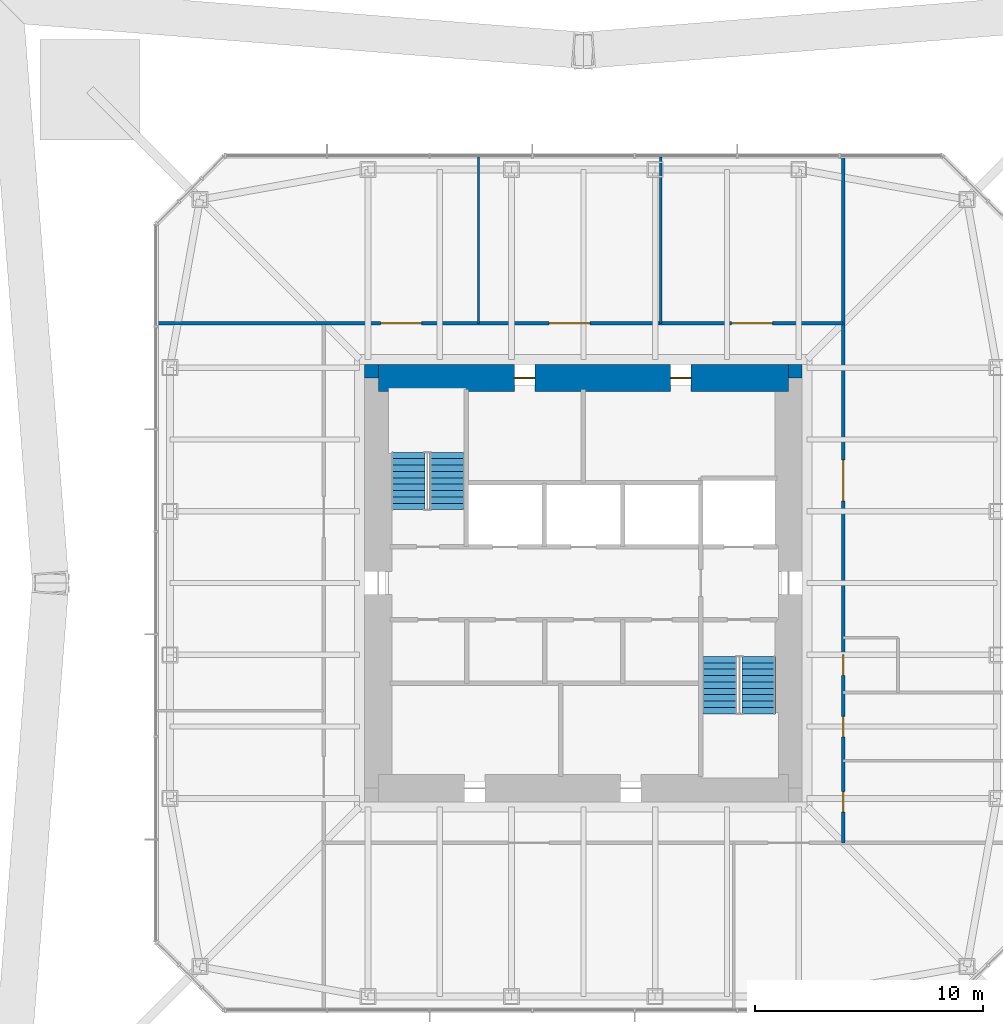
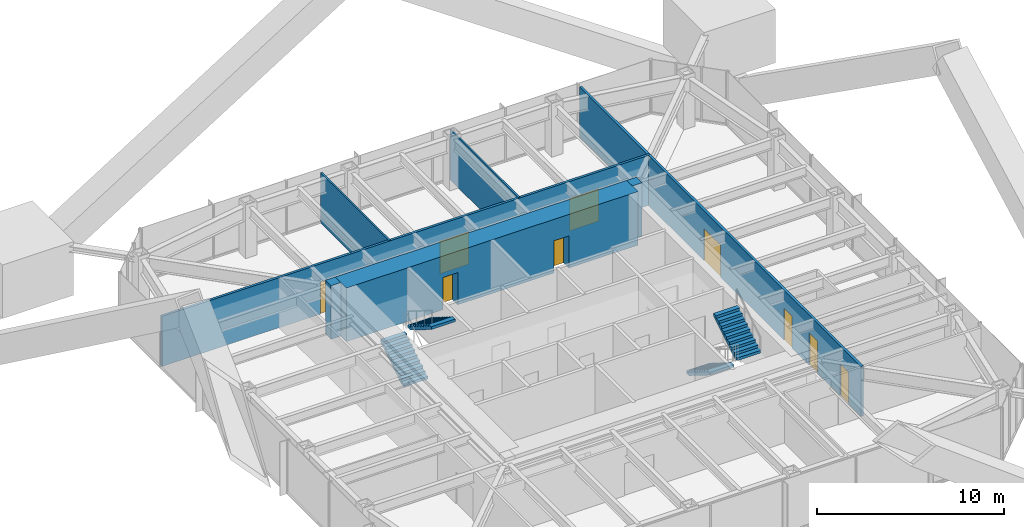
# One storey, part 9 of 11: 9 doors, 7 walls, 4 stair flights, 9 openings, 2 elements without a shape of their own.
"""IFC4 building model written with IfcOpenShell, lengths in metres."""

from ifc_helpers import new_model, si_unit, direction, frame, frame_2d, origin, place, context, subcontext, project, spatial, polyline, rectangle, outline, extrude, material, layer, layer_set, constituent, constituent_set, type_object, element, fill, aggregate, save


model = new_model("IFC4")

# Units and contexts
model_context = context("Model", 3, precision=1e-05, world=origin(), true_north=direction((0.0, 1.0)))
body_context = subcontext(model_context, "Body", "Model", "MODEL_VIEW")
ifc_project = project(units=[si_unit("LENGTHUNIT", "METRE"), si_unit("AREAUNIT", "SQUARE_METRE"), si_unit("VOLUMEUNIT", "CUBIC_METRE"), si_unit("PLANEANGLEUNIT", "RADIAN"), si_unit("MASSUNIT", "GRAM", prefix="KILO")], contexts=[model_context])

# Site, building, storey
site_placement = place(None, origin())
site = spatial("IfcSite", under=ifc_project, at=site_placement, CompositionType="ELEMENT")
building_placement = place(site_placement, origin())
building = spatial("IfcBuilding", under=site, at=building_placement, Name="Iwan Alto Co-Living Towers", CompositionType="ELEMENT")
storey_placement = place(building_placement, frame((0.0, 0.0, 149.5)))
storey = spatial("IfcBuildingStorey", under=building, at=storey_placement, Name="L40", CompositionType="ELEMENT", Elevation=149.5)

# Wall, openings, doors
ifc_material_1 = material(Name="Gypsum board")
ifc_layer_1 = layer(ifc_material_1, 0.02490234375, Name="Board", Category="Finish")
ifc_material_2 = material(Name="Steel ASTM A1003 ST33H cold-formed studs", Category="steel")
ifc_layer_2 = layer(ifc_material_2, 0.10009765625, Name="Studs", Category="Framing")
ifc_layer_3 = layer(ifc_material_1, 0.02490234375, Name="Board", Category="Finish")
ifc_layer_set_1 = layer_set([ifc_layer_1, ifc_layer_2, ifc_layer_3], Name="CORRIDOR WALL 150")
wall_type_1 = type_object("IfcWallType", Name="CORRIDOR WALL 150", PredefinedType="PARTITIONING", material=ifc_layer_set_1)
wall_1_placement = place(storey_placement, frame((-18.68994140625, 11.39990234375, 0.0), z_axis=(0.0, 0.0, 1.0), x_axis=(1.0, 0.0, 0.0)))
wall_1 = element("IfcWall", 1, at=wall_1_placement, inside=storey, type_object=wall_type_1, Name="Partition L40", PredefinedType="PARTITIONING", context=body_context, shape_type="SweptSolid", body=[
    extrude(rectangle(XDim=30.08984375, YDim=0.14990234375, at=frame_2d((15.044921875, 0.0))), origin(), (0.0, 0.0, 1.0), 3.27001953125),
])
opening_1_placement = place(wall_1_placement, frame((25.18994140625, 0.0, 0.0)))
opening_1 = element("IfcOpeningElement", 2, at=opening_1_placement, cuts=wall_1, Name="Opening D9", PredefinedType="OPENING", context=body_context, shape_type="SweptSolid", body=[
    extrude(rectangle(XDim=1.800048828125, YDim=2.10009765625, at=frame_2d((0.89990234375, 1.050048828125))), frame((0.0, 0.0849609375, 0.0), z_axis=(0.0, -1.0, 0.0), x_axis=(1.0, 0.0, 0.0)), (0.0, 0.0, 1.0), 0.169921875),
])
opening_2_placement = place(wall_1_placement, frame((17.18994140625, 0.0, 0.0)))
opening_2 = element("IfcOpeningElement", 3, at=opening_2_placement, cuts=wall_1, Name="Opening D9", PredefinedType="OPENING", context=body_context, shape_type="SweptSolid", body=[
    extrude(rectangle(XDim=1.800048828125, YDim=2.10009765625, at=frame_2d((0.89990234375, 1.050048828125))), frame((0.0, 0.0849609375, 0.0), z_axis=(0.0, -1.0, 0.0), x_axis=(1.0, 0.0, 0.0)), (0.0, 0.0, 1.0), 0.169921875),
])
opening_3_placement = place(wall_1_placement, frame((9.7900390625, 0.0, 0.0)))
opening_3 = element("IfcOpeningElement", 4, at=opening_3_placement, cuts=wall_1, Name="Opening D9", PredefinedType="OPENING", context=body_context, shape_type="SweptSolid", body=[
    extrude(rectangle(XDim=1.800048828125, YDim=2.10009765625, at=frame_2d((0.89990234375, 1.050048828125))), frame((0.0, 0.0849609375, 0.0), z_axis=(0.0, -1.0, 0.0), x_axis=(1.0, 0.0, 0.0)), (0.0, 0.0, 1.0), 0.169921875),
])
ifc_material_3 = material(Name="Steel frame with timber leaf", Category="steel")
door_type_1 = type_object("IfcDoorType", Name="LOUNGE DOOR FD30S 1800X2100", OperationType="DOUBLE_DOOR_SINGLE_SWING", PredefinedType="DOOR", material=ifc_material_3)
door_1_placement = place(opening_1_placement, origin())
door_1 = element("IfcDoor", 5, at=door_1_placement, inside=storey, type_object=door_type_1, Name="Meeting room door L40", OperationType="DOUBLE_DOOR_SINGLE_SWING", OverallHeight=2.10009765625, OverallWidth=1.800048828125, PredefinedType="DOOR", context=body_context, shape_type="SweptSolid", body=[
    extrude(rectangle(XDim=1.800048828125, YDim=2.10009765625, at=frame_2d((0.89990234375, 1.050048828125))), frame((0.0, 0.02490234375, 0.0), z_axis=(0.0, -1.0, 0.0), x_axis=(1.0, 0.0, 0.0)), (0.0, 0.0, 1.0), 0.050048828125),
])
fill(opening_1, door_1)
door_2_placement = place(opening_2_placement, origin())
door_2 = element("IfcDoor", 6, at=door_2_placement, inside=storey, type_object=door_type_1, Name="Meeting room door L40", OperationType="DOUBLE_DOOR_SINGLE_SWING", OverallHeight=2.10009765625, OverallWidth=1.800048828125, PredefinedType="DOOR", context=body_context, shape_type="SweptSolid", body=[
    extrude(rectangle(XDim=1.800048828125, YDim=2.10009765625, at=frame_2d((0.89990234375, 1.050048828125))), frame((0.0, 0.02490234375, 0.0), z_axis=(0.0, -1.0, 0.0), x_axis=(1.0, 0.0, 0.0)), (0.0, 0.0, 1.0), 0.050048828125),
])
fill(opening_2, door_2)
door_3_placement = place(opening_3_placement, origin())
door_3 = element("IfcDoor", 7, at=door_3_placement, inside=storey, type_object=door_type_1, Name="Seminar room door L40", OperationType="DOUBLE_DOOR_SINGLE_SWING", OverallHeight=2.10009765625, OverallWidth=1.800048828125, PredefinedType="DOOR", context=body_context, shape_type="SweptSolid", body=[
    extrude(rectangle(XDim=1.800048828125, YDim=2.10009765625, at=frame_2d((0.89990234375, 1.050048828125))), frame((0.0, 0.02490234375, 0.0), z_axis=(0.0, -1.0, 0.0), x_axis=(1.0, 0.0, 0.0)), (0.0, 0.0, 1.0), 0.050048828125),
])
fill(opening_3, door_3)

wall_2_placement = place(storey_placement, frame((11.39990234375, -11.39990234375, 0.0), z_axis=(0.0, 0.0, 1.0), x_axis=(0.0, 1.0, 0.0)))
wall_2 = element("IfcWall", 8, at=wall_2_placement, inside=storey, type_object=wall_type_1, Name="Partition L40", PredefinedType="PARTITIONING", context=body_context, shape_type="SweptSolid", body=[
    extrude(rectangle(XDim=30.08984375, YDim=0.14990234375, at=frame_2d((15.044921875, 0.0))), origin(), (0.0, 0.0, 1.0), 3.27001953125),
])
opening_4_placement = place(wall_2_placement, frame((1.35009765625, 0.0, 0.0)))
opening_4 = element("IfcOpeningElement", 9, at=opening_4_placement, cuts=wall_2, Name="Opening D4", PredefinedType="OPENING", context=body_context, shape_type="SweptSolid", body=[
    extrude(rectangle(XDim=0.89990234375, YDim=2.10009765625, at=frame_2d((0.449951171875, 1.050048828125))), frame((0.0, 0.0849609375, 0.0), z_axis=(0.0, -1.0, 0.0), x_axis=(1.0, 0.0, 0.0)), (0.0, 0.0, 1.0), 0.169921875),
])
opening_5_placement = place(wall_2_placement, frame((4.64990234375, 0.0, 0.0)))
opening_5 = element("IfcOpeningElement", 10, at=opening_5_placement, cuts=wall_2, Name="Opening D4", PredefinedType="OPENING", context=body_context, shape_type="SweptSolid", body=[
    extrude(rectangle(XDim=0.89990234375, YDim=2.10009765625, at=frame_2d((0.449951171875, 1.050048828125))), frame((0.0, 0.0849609375, 0.0), z_axis=(0.0, -1.0, 0.0), x_axis=(1.0, 0.0, 0.0)), (0.0, 0.0, 1.0), 0.169921875),
])
opening_6_placement = place(wall_2_placement, frame((7.35009765625, 0.0, 0.0)))
opening_6 = element("IfcOpeningElement", 11, at=opening_6_placement, cuts=wall_2, Name="Opening D4", PredefinedType="OPENING", context=body_context, shape_type="SweptSolid", body=[
    extrude(rectangle(XDim=0.89990234375, YDim=2.10009765625, at=frame_2d((0.449951171875, 1.050048828125))), frame((0.0, 0.0849609375, 0.0), z_axis=(0.0, -1.0, 0.0), x_axis=(1.0, 0.0, 0.0)), (0.0, 0.0, 1.0), 0.169921875),
])
opening_7_placement = place(wall_2_placement, frame((15.0, 0.0, 0.0)))
opening_7 = element("IfcOpeningElement", 12, at=opening_7_placement, cuts=wall_2, Name="Opening D9", PredefinedType="OPENING", context=body_context, shape_type="SweptSolid", body=[
    extrude(rectangle(XDim=1.800048828125, YDim=2.10009765625, at=frame_2d((0.89990234375, 1.050048828125))), frame((0.0, 0.0849609375, 0.0), z_axis=(0.0, -1.0, 0.0), x_axis=(1.0, 0.0, 0.0)), (0.0, 0.0, 1.0), 0.169921875),
])
door_4_placement = place(opening_7_placement, frame((1.800048828125, 0.0, 0.0), z_axis=(0.0, 0.0, 1.0), x_axis=(-1.0, 0.0, 0.0)))
door_4 = element("IfcDoor", 13, at=door_4_placement, inside=storey, type_object=door_type_1, Name="Co-working room door L40", OperationType="DOUBLE_DOOR_SINGLE_SWING", OverallHeight=2.10009765625, OverallWidth=1.800048828125, PredefinedType="DOOR", context=body_context, shape_type="SweptSolid", body=[
    extrude(rectangle(XDim=1.800048828125, YDim=2.10009765625, at=frame_2d((0.89990234375, 1.050048828125))), frame((0.0, 0.02490234375, 0.0), z_axis=(0.0, -1.0, 0.0), x_axis=(1.0, 0.0, 0.0)), (0.0, 0.0, 1.0), 0.050048828125),
])
fill(opening_7, door_4)
ifc_material_4 = material(Name="Timber leaf in steel frame", Category="steel")
door_type_2 = type_object("IfcDoorType", Name="WC DOOR 900X2100", OperationType="SINGLE_SWING_LEFT", PredefinedType="DOOR", material=ifc_material_4)
door_5_placement = place(opening_4_placement, frame((0.89990234375, 0.0, 0.0), z_axis=(0.0, 0.0, 1.0), x_axis=(-1.0, 0.0, 0.0)))
door_5 = element("IfcDoor", 14, at=door_5_placement, inside=storey, type_object=door_type_2, Name="Women's toilets door L40", OperationType="SINGLE_SWING_RIGHT", OverallHeight=2.10009765625, OverallWidth=0.89990234375, PredefinedType="DOOR", context=body_context, shape_type="SweptSolid", body=[
    extrude(rectangle(XDim=0.89990234375, YDim=2.10009765625, at=frame_2d((0.449951171875, 1.050048828125))), frame((0.0, 0.02490234375, 0.0), z_axis=(0.0, -1.0, 0.0), x_axis=(1.0, 0.0, 0.0)), (0.0, 0.0, 1.0), 0.050048828125),
])
fill(opening_4, door_5)
door_6_placement = place(opening_5_placement, frame((0.89990234375, 0.0, 0.0), z_axis=(0.0, 0.0, 1.0), x_axis=(-1.0, 0.0, 0.0)))
door_6 = element("IfcDoor", 15, at=door_6_placement, inside=storey, type_object=door_type_2, Name="Men's toilets door L40", OperationType="SINGLE_SWING_RIGHT", OverallHeight=2.10009765625, OverallWidth=0.89990234375, PredefinedType="DOOR", context=body_context, shape_type="SweptSolid", body=[
    extrude(rectangle(XDim=0.89990234375, YDim=2.10009765625, at=frame_2d((0.449951171875, 1.050048828125))), frame((0.0, 0.02490234375, 0.0), z_axis=(0.0, -1.0, 0.0), x_axis=(1.0, 0.0, 0.0)), (0.0, 0.0, 1.0), 0.050048828125),
])
fill(opening_5, door_6)
door_7_placement = place(opening_6_placement, frame((0.89990234375, 0.0, 0.0), z_axis=(0.0, 0.0, 1.0), x_axis=(-1.0, 0.0, 0.0)))
door_7 = element("IfcDoor", 16, at=door_7_placement, inside=storey, type_object=door_type_2, Name="Accessible WC door L40", OperationType="SINGLE_SWING_RIGHT", OverallHeight=2.10009765625, OverallWidth=0.89990234375, PredefinedType="DOOR", context=body_context, shape_type="SweptSolid", body=[
    extrude(rectangle(XDim=0.89990234375, YDim=2.10009765625, at=frame_2d((0.449951171875, 1.050048828125))), frame((0.0, 0.02490234375, 0.0), z_axis=(0.0, -1.0, 0.0), x_axis=(1.0, 0.0, 0.0)), (0.0, 0.0, 1.0), 0.050048828125),
])
fill(opening_6, door_7)

# Walls
ifc_layer_4 = layer(ifc_material_1, 0.012451171875, Name="Board", Category="Finish")
ifc_layer_5 = layer(ifc_material_2, 0.074951171875, Name="Studs", Category="Framing")
ifc_layer_6 = layer(ifc_material_1, 0.012451171875, Name="Board", Category="Finish")
ifc_layer_set_2 = layer_set([ifc_layer_4, ifc_layer_5, ifc_layer_6], Name="PARTITION 100")
wall_type_2 = type_object("IfcWallType", Name="PARTITION 100", PredefinedType="PARTITIONING", material=ifc_layer_set_2)
for number, where, z_axis, x_axis, name in (
    (17, (3.39990234375, 11.39990234375, 0.0), (0.0, 0.0, 1.0), (0.0, 1.0, 0.0), "Partition L40"),
    (18, (-4.60009765625, 11.39990234375, 0.0), (0.0, 0.0, 1.0), (0.0, 1.0, 0.0), "Partition L40"),
):
    element("IfcWall", number, at=place(storey_placement, frame(where, z_axis=z_axis, x_axis=x_axis)), inside=storey, type_object=wall_type_2, Name=name, PredefinedType="PARTITIONING", context=body_context, shape_type="SweptSolid", body=[
        extrude(rectangle(XDim=7.2900390625, YDim=0.10009765625, at=frame_2d((3.64501953125, 0.0))), origin(), (0.0, 0.0, 1.0), 3.27001953125),
    ])
ifc_material_5 = material(Name="Concrete f'c 70 MPa", Category="concrete")
ifc_layer_7 = layer(ifc_material_5, 0.60009765625)
ifc_layer_set_3 = layer_set([ifc_layer_7], Name="T1 CORE CORNER FILL 600")
wall_type_3 = type_object("IfcWallType", Name="T1 CORE CORNER FILL 600", PredefinedType="SOLIDWALL", material=ifc_layer_set_3)
for number, where, z_axis, x_axis, name in (
    (19, (9.0, 9.300048828125, 0.0), (0.0, 0.0, 1.0), (1.0, 0.0, 0.0), "T1 core corner NE L40"),
    (20, (-9.60009765625, 9.300048828125, 0.0), (0.0, 0.0, 1.0), (1.0, 0.0, 0.0), "T1 core corner NW L40"),
):
    element("IfcWall", number, at=place(storey_placement, frame(where, z_axis=z_axis, x_axis=x_axis)), inside=storey, type_object=wall_type_3, Name=name, PredefinedType="SOLIDWALL", context=body_context, shape_type="SweptSolid", body=[
        extrude(rectangle(XDim=0.60009765625, YDim=0.60009765625, at=frame_2d((0.300048828125, 0.0))), origin(), (0.0, 0.0, 1.0), 3.5),
    ])

# Wall, openings, doors
ifc_material_6 = material(Name="Concrete f'c 70 MPa", Category="concrete")
ifc_layer_8 = layer(ifc_material_6, 1.199951171875)
ifc_layer_set_4 = layer_set([ifc_layer_8], Name="T1 CORE WALL 1200")
wall_type_4 = type_object("IfcWallType", Name="T1 CORE WALL 1200", PredefinedType="SHEAR", material=ifc_layer_set_4)
wall_3_placement = place(storey_placement, frame((9.0, 9.0, 0.0), z_axis=(0.0, 0.0, 1.0), x_axis=(-1.0, 0.0, 0.0)))
wall_3 = element("IfcWall", 21, at=wall_3_placement, inside=storey, type_object=wall_type_4, Name="T1 core wall N L40", PredefinedType="SHEAR", context=body_context, shape_type="SweptSolid", body=[
    extrude(rectangle(XDim=18.0, YDim=1.199951171875, at=frame_2d((9.0, 0.0))), origin(), (0.0, 0.0, 1.0), 3.5),
])
opening_8_placement = place(wall_3_placement, frame((11.125, 0.0, 0.0)))
opening_8 = element("IfcOpeningElement", 22, at=opening_8_placement, cuts=wall_3, Name="Opening D8", PredefinedType="OPENING", context=body_context, shape_type="SweptSolid", body=[
    extrude(rectangle(XDim=0.89990234375, YDim=2.10009765625, at=frame_2d((0.449951171875, 1.050048828125))), frame((0.0, 0.60986328125, 0.0), z_axis=(0.0, -1.0, 0.0), x_axis=(1.0, 0.0, 0.0)), (0.0, 0.0, 1.0), 1.219970703125),
])
opening_9_placement = place(wall_3_placement, frame((4.27490234375, 0.0, 0.0)))
opening_9 = element("IfcOpeningElement", 23, at=opening_9_placement, cuts=wall_3, Name="Opening D8", PredefinedType="OPENING", context=body_context, shape_type="SweptSolid", body=[
    extrude(rectangle(XDim=0.89990234375, YDim=2.10009765625, at=frame_2d((0.449951171875, 1.050048828125))), frame((0.0, 0.60986328125, 0.0), z_axis=(0.0, -1.0, 0.0), x_axis=(1.0, 0.0, 0.0)), (0.0, 0.0, 1.0), 1.219970703125),
])
ifc_material_7 = material(Name="Steel frame with timber leaf", Category="steel")
door_type_3 = type_object("IfcDoorType", Name="RISER DOOR FD120 900X2100", OperationType="SINGLE_SWING_LEFT", PredefinedType="DOOR", material=ifc_material_7)
door_8_placement = place(opening_8_placement, origin())
door_8 = element("IfcDoor", 24, at=door_8_placement, inside=storey, type_object=door_type_3, Name="Electrical riser core door L40", OperationType="SINGLE_SWING_RIGHT", OverallHeight=2.10009765625, OverallWidth=0.89990234375, PredefinedType="DOOR", context=body_context, shape_type="SweptSolid", body=[
    extrude(rectangle(XDim=0.89990234375, YDim=2.10009765625, at=frame_2d((0.449951171875, 1.050048828125))), frame((0.0, 0.02490234375, 0.0), z_axis=(0.0, -1.0, 0.0), x_axis=(1.0, 0.0, 0.0)), (0.0, 0.0, 1.0), 0.050048828125),
])
fill(opening_8, door_8)
door_9_placement = place(opening_9_placement, origin())
door_9 = element("IfcDoor", 25, at=door_9_placement, inside=storey, type_object=door_type_3, Name="Water and drainage riser core door L40", OperationType="SINGLE_SWING_RIGHT", OverallHeight=2.10009765625, OverallWidth=0.89990234375, PredefinedType="DOOR", context=body_context, shape_type="SweptSolid", body=[
    extrude(rectangle(XDim=0.89990234375, YDim=2.10009765625, at=frame_2d((0.449951171875, 1.050048828125))), frame((0.0, 0.02490234375, 0.0), z_axis=(0.0, -1.0, 0.0), x_axis=(1.0, 0.0, 0.0)), (0.0, 0.0, 1.0), 0.050048828125),
])
fill(opening_9, door_9)

# Stair, stair flights
ifc_material_8 = material(Name="Steel ASTM A36", Category="steel")
ifc_constituent_1 = constituent(ifc_material_8, Name="Stringers", Category="LoadBearing")
ifc_material_9 = material(Name="Concrete f'c 30 MPa", Category="concrete")
ifc_constituent_2 = constituent(ifc_material_9, Name="Tread fill", Category="Finish")
ifc_constituent_set_1 = constituent_set(constituents=[ifc_constituent_1, ifc_constituent_2], Name="STAIR 3500 TWO-FLIGHT T1 CORE")
stair_type = type_object("IfcStairType", Name="STAIR 3500 TWO-FLIGHT T1 CORE", PredefinedType="HALF_TURN_STAIR", material=ifc_constituent_set_1)
stair_1_placement = place(storey_placement, origin())
stair_1 = element("IfcStair", 26, at=stair_1_placement, inside=storey, type_object=stair_type, Name="Stair T1-S1 L40 to L41", PredefinedType="HALF_TURN_STAIR")
ifc_constituent_3 = constituent(ifc_material_8, Name="Stringers", Category="LoadBearing")
ifc_constituent_4 = constituent(ifc_material_9, Name="Tread fill", Category="Finish")
ifc_constituent_set_2 = constituent_set(constituents=[ifc_constituent_3, ifc_constituent_4], Name="STAIR FLIGHT 10 RISERS 280 GOING")
stair_flight_type = type_object("IfcStairFlightType", Name="STAIR FLIGHT 10 RISERS 280 GOING", PredefinedType="STRAIGHT", material=ifc_constituent_set_2)
stair_flight_1_placement = place(storey_placement, frame((-7.68994140625, 3.219970703125, 0.0), z_axis=(0.0, 0.0, 1.0), x_axis=(0.0, 1.0, 0.0)))
stair_flight_1 = element("IfcStairFlight", 27, at=stair_flight_1_placement, type_object=stair_flight_type, Name="T1-S1 flight 1", NumberOfRisers=10, NumberOfTreads=9, PredefinedType="STRAIGHT", RiserHeight=0.175, TreadLength=0.28, context=body_context, shape_type="SweptSolid", body=[
    extrude(outline(polyline([(0.0, 0.0), (0.0, 0.175048828125), (0.280029296875, 0.175048828125), (0.280029296875, 0.35009765625), (0.56005859375, 0.35009765625), (0.56005859375, 0.52490234375), (0.840087890625, 0.52490234375), (0.840087890625, 0.699951171875), (1.1201171875, 0.699951171875), (1.1201171875, 0.875), (1.39990234375, 0.875), (1.39990234375, 1.050048828125), (1.679931640625, 1.050048828125), (1.679931640625, 1.22509765625), (1.9599609375, 1.22509765625), (1.9599609375, 1.39990234375), (2.239990234375, 1.39990234375), (2.239990234375, 1.574951171875), (2.52001953125, 1.574951171875), (2.52001953125, 1.75), (2.52001953125, 1.398193359375), (0.28271484375, 0.0), (0.0, 0.0)])), frame((0.0, 0.739990234375, 0.0), z_axis=(0.0, -1.0, 0.0), x_axis=(1.0, 0.0, 0.0)), (0.0, 0.0, 1.0), 1.47998046875),
])
stair_flight_2_placement = place(storey_placement, frame((-6.010009765625, 5.739990234375, 1.75), z_axis=(0.0, 0.0, 1.0), x_axis=(0.0, -1.0, 0.0)))
stair_flight_2 = element("IfcStairFlight", 28, at=stair_flight_2_placement, type_object=stair_flight_type, Name="T1-S1 flight 2", NumberOfRisers=10, NumberOfTreads=9, PredefinedType="STRAIGHT", RiserHeight=0.175, TreadLength=0.28, context=body_context, shape_type="SweptSolid", body=[
    extrude(outline(polyline([(0.0, 0.0), (0.0, 0.175048828125), (0.280029296875, 0.175048828125), (0.280029296875, 0.35009765625), (0.56005859375, 0.35009765625), (0.56005859375, 0.52490234375), (0.840087890625, 0.52490234375), (0.840087890625, 0.699951171875), (1.1201171875, 0.699951171875), (1.1201171875, 0.875), (1.39990234375, 0.875), (1.39990234375, 1.050048828125), (1.679931640625, 1.050048828125), (1.679931640625, 1.22509765625), (1.9599609375, 1.22509765625), (1.9599609375, 1.39990234375), (2.239990234375, 1.39990234375), (2.239990234375, 1.574951171875), (2.52001953125, 1.574951171875), (2.52001953125, 1.75), (2.52001953125, 1.398193359375), (0.28271484375, 0.0), (0.0, 0.0)])), frame((0.0, 0.739990234375, 0.0), z_axis=(0.0, -1.0, 0.0), x_axis=(1.0, 0.0, 0.0)), (0.0, 0.0, 1.0), 1.47998046875),
])
aggregate(stair_1, [stair_flight_1, stair_flight_2])

stair_2_placement = place(storey_placement, origin())
stair_2 = element("IfcStair", 29, at=stair_2_placement, inside=storey, type_object=stair_type, Name="Stair T1-S2 L40 to L41", PredefinedType="HALF_TURN_STAIR")
stair_flight_3_placement = place(storey_placement, frame((6.010009765625, -3.219970703125, 0.0), z_axis=(0.0, 0.0, 1.0), x_axis=(0.0, -1.0, 0.0)))
stair_flight_3 = element("IfcStairFlight", 30, at=stair_flight_3_placement, type_object=stair_flight_type, Name="T1-S2 flight 1", NumberOfRisers=10, NumberOfTreads=9, PredefinedType="STRAIGHT", RiserHeight=0.175, TreadLength=0.28, context=body_context, shape_type="SweptSolid", body=[
    extrude(outline(polyline([(0.0, 0.0), (0.0, 0.175048828125), (0.280029296875, 0.175048828125), (0.280029296875, 0.35009765625), (0.56005859375, 0.35009765625), (0.56005859375, 0.52490234375), (0.840087890625, 0.52490234375), (0.840087890625, 0.699951171875), (1.1201171875, 0.699951171875), (1.1201171875, 0.875), (1.39990234375, 0.875), (1.39990234375, 1.050048828125), (1.679931640625, 1.050048828125), (1.679931640625, 1.22509765625), (1.9599609375, 1.22509765625), (1.9599609375, 1.39990234375), (2.239990234375, 1.39990234375), (2.239990234375, 1.574951171875), (2.52001953125, 1.574951171875), (2.52001953125, 1.75), (2.52001953125, 1.398193359375), (0.28271484375, 0.0), (0.0, 0.0)])), frame((0.0, 0.739990234375, 0.0), z_axis=(0.0, -1.0, 0.0), x_axis=(1.0, 0.0, 0.0)), (0.0, 0.0, 1.0), 1.47998046875),
])
stair_flight_4_placement = place(storey_placement, frame((7.68994140625, -5.739990234375, 1.75), z_axis=(0.0, 0.0, 1.0), x_axis=(0.0, 1.0, 0.0)))
stair_flight_4 = element("IfcStairFlight", 31, at=stair_flight_4_placement, type_object=stair_flight_type, Name="T1-S2 flight 2", NumberOfRisers=10, NumberOfTreads=9, PredefinedType="STRAIGHT", RiserHeight=0.175, TreadLength=0.28, context=body_context, shape_type="SweptSolid", body=[
    extrude(outline(polyline([(0.0, 0.0), (0.0, 0.175048828125), (0.280029296875, 0.175048828125), (0.280029296875, 0.35009765625), (0.56005859375, 0.35009765625), (0.56005859375, 0.52490234375), (0.840087890625, 0.52490234375), (0.840087890625, 0.699951171875), (1.1201171875, 0.699951171875), (1.1201171875, 0.875), (1.39990234375, 0.875), (1.39990234375, 1.050048828125), (1.679931640625, 1.050048828125), (1.679931640625, 1.22509765625), (1.9599609375, 1.22509765625), (1.9599609375, 1.39990234375), (2.239990234375, 1.39990234375), (2.239990234375, 1.574951171875), (2.52001953125, 1.574951171875), (2.52001953125, 1.75), (2.52001953125, 1.398193359375), (0.28271484375, 0.0), (0.0, 0.0)])), frame((0.0, 0.739990234375, 0.0), z_axis=(0.0, -1.0, 0.0), x_axis=(1.0, 0.0, 0.0)), (0.0, 0.0, 1.0), 1.47998046875),
])
aggregate(stair_2, [stair_flight_3, stair_flight_4])

save(model, "model.ifc")
